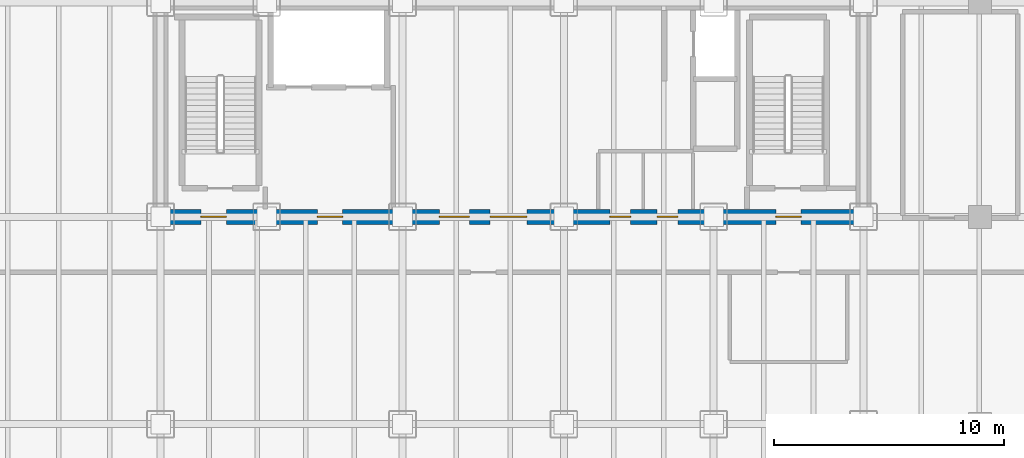
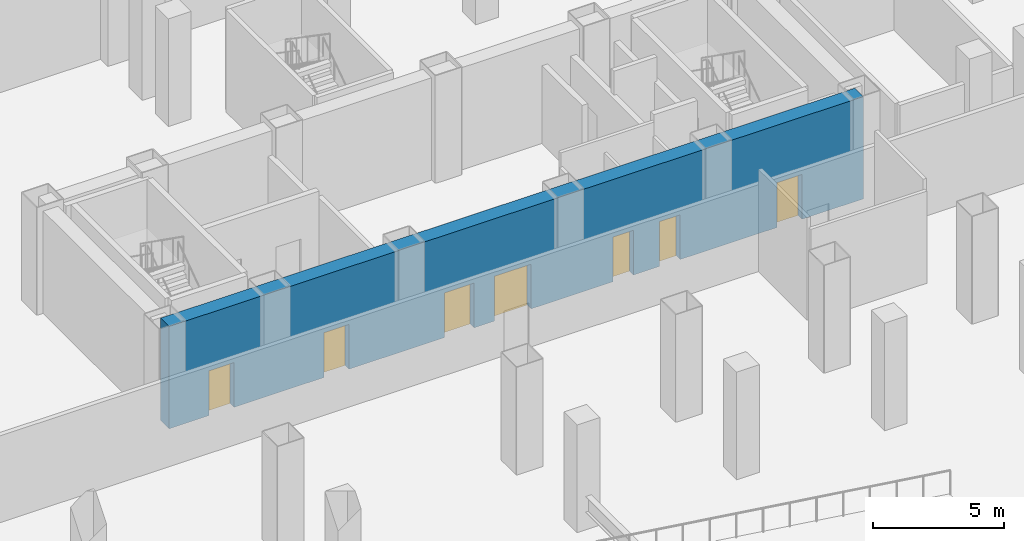
# One storey, part 8 of 18: 7 doors, 1 wall, 7 openings.
"""IFC4 building model written with IfcOpenShell, lengths in metres."""

from ifc_helpers import new_model, si_unit, direction, frame, frame_2d, origin, place, context, subcontext, project, spatial, rectangle, extrude, material, layer, layer_set, type_object, element, fill, save


model = new_model("IFC4")

# Units and contexts
model_context = context("Model", 3, precision=1e-05, world=origin(), true_north=direction((0.0, 1.0)))
body_context = subcontext(model_context, "Body", "Model", "MODEL_VIEW")
ifc_project = project(units=[si_unit("LENGTHUNIT", "METRE"), si_unit("AREAUNIT", "SQUARE_METRE"), si_unit("VOLUMEUNIT", "CUBIC_METRE"), si_unit("PLANEANGLEUNIT", "RADIAN"), si_unit("MASSUNIT", "GRAM", prefix="KILO")], contexts=[model_context])

# Site, building, storey
site_placement = place(None, origin())
site = spatial("IfcSite", under=ifc_project, at=site_placement, CompositionType="ELEMENT")
building_placement = place(site_placement, origin())
building = spatial("IfcBuilding", under=site, at=building_placement, Name="Noeulbin Bourse Tower", CompositionType="ELEMENT")
storey_placement = place(building_placement, frame((0.0, 0.0, -5.0)))
storey = spatial("IfcBuildingStorey", under=building, at=storey_placement, Name="B01", CompositionType="ELEMENT", Elevation=-5.0)

# Wall, openings, doors
ifc_material_1 = material(Name="Concrete C60/75", Category="concrete")
ifc_layer = layer(ifc_material_1, 0.64990234375)
ifc_layer_set = layer_set([ifc_layer], Name="Concrete C60/75")
wall_type = type_object("IfcWallType", Name="WAL-CORE-650", PredefinedType="SHEAR", material=ifc_layer_set)
wall_placement = place(storey_placement, frame((13.5, 29.0, 0.0), z_axis=(0.0, 0.0, 1.0), x_axis=(1.0, 0.0, 0.0)))
wall = element("IfcWall", 1, at=wall_placement, inside=storey, type_object=wall_type, Name="Rear Core South Shear Wall B01", PredefinedType="SHEAR", context=body_context, shape_type="SweptSolid", body=[
    extrude(rectangle(XDim=30.5, YDim=0.64990234375, at=frame_2d((15.25, 0.0))), origin(), (0.0, 0.0, 1.0), 4.75),
])
opening_1_placement = place(wall_placement, frame((1.75, 0.0, 0.0)))
opening_1 = element("IfcOpeningElement", 2, at=opening_1_placement, cuts=wall, Name="Opening FD-11", PredefinedType="OPENING", context=body_context, shape_type="SweptSolid", body=[
    extrude(rectangle(XDim=1.10009765625, YDim=2.080078125, at=frame_2d((0.550048828125, 1.0400390625))), frame((0.0, 0.3349609375, 0.0), z_axis=(0.0, -1.0, 0.0), x_axis=(1.0, 0.0, 0.0)), (0.0, 0.0, 1.0), 0.669921875),
])
opening_2_placement = place(wall_placement, frame((26.699951171875, 0.0, 0.0)))
opening_2 = element("IfcOpeningElement", 3, at=opening_2_placement, cuts=wall, Name="Opening FD-11", PredefinedType="OPENING", context=body_context, shape_type="SweptSolid", body=[
    extrude(rectangle(XDim=1.10009765625, YDim=2.080078125, at=frame_2d((0.550048828125, 1.0400390625))), frame((0.0, 0.3349609375, 0.0), z_axis=(0.0, -1.0, 0.0), x_axis=(1.0, 0.0, 0.0)), (0.0, 0.0, 1.0), 0.669921875),
])
opening_3_placement = place(wall_placement, frame((6.800048828125, 0.0, 0.0)))
opening_3 = element("IfcOpeningElement", 4, at=opening_3_placement, cuts=wall, Name="Opening FD-11", PredefinedType="OPENING", context=body_context, shape_type="SweptSolid", body=[
    extrude(rectangle(XDim=1.10009765625, YDim=2.080078125, at=frame_2d((0.550048828125, 1.0400390625))), frame((0.0, 0.3349609375, 0.0), z_axis=(0.0, -1.0, 0.0), x_axis=(1.0, 0.0, 0.0)), (0.0, 0.0, 1.0), 0.669921875),
])
opening_4_placement = place(wall_placement, frame((14.300048828125, 0.0, 0.0)))
opening_4 = element("IfcOpeningElement", 5, at=opening_4_placement, cuts=wall, Name="Opening ID-16", PredefinedType="OPENING", context=body_context, shape_type="SweptSolid", body=[
    extrude(rectangle(XDim=1.60009765625, YDim=2.080078125, at=frame_2d((0.800048828125, 1.0400390625))), frame((0.0, 0.3349609375, 0.0), z_axis=(0.0, -1.0, 0.0), x_axis=(1.0, 0.0, 0.0)), (0.0, 0.0, 1.0), 0.669921875),
])
opening_5_placement = place(wall_placement, frame((19.5, 0.0, 0.0)))
opening_5 = element("IfcOpeningElement", 6, at=opening_5_placement, cuts=wall, Name="Opening FD-09", PredefinedType="OPENING", context=body_context, shape_type="SweptSolid", body=[
    extrude(rectangle(XDim=0.89990234375, YDim=2.080078125, at=frame_2d((0.449951171875, 1.0400390625))), frame((0.0, 0.3349609375, 0.0), z_axis=(0.0, -1.0, 0.0), x_axis=(1.0, 0.0, 0.0)), (0.0, 0.0, 1.0), 0.669921875),
])
opening_6_placement = place(wall_placement, frame((21.550048828125, 0.0, 0.0)))
opening_6 = element("IfcOpeningElement", 7, at=opening_6_placement, cuts=wall, Name="Opening FD-09", PredefinedType="OPENING", context=body_context, shape_type="SweptSolid", body=[
    extrude(rectangle(XDim=0.89990234375, YDim=2.080078125, at=frame_2d((0.449951171875, 1.0400390625))), frame((0.0, 0.3349609375, 0.0), z_axis=(0.0, -1.0, 0.0), x_axis=(1.0, 0.0, 0.0)), (0.0, 0.0, 1.0), 0.669921875),
])
opening_7_placement = place(wall_placement, frame((12.10009765625, 0.0, 0.0)))
opening_7 = element("IfcOpeningElement", 8, at=opening_7_placement, cuts=wall, Name="Opening LD-13", PredefinedType="OPENING", context=body_context, shape_type="SweptSolid", body=[
    extrude(rectangle(XDim=1.300048828125, YDim=2.080078125, at=frame_2d((0.64990234375, 1.0400390625))), frame((0.0, 0.3349609375, 0.0), z_axis=(0.0, -1.0, 0.0), x_axis=(1.0, 0.0, 0.0)), (0.0, 0.0, 1.0), 0.669921875),
])
ifc_material_2 = material(Name="Acoustic Glazed Aluminium", Category="aluminium")
door_type_1 = type_object("IfcDoorType", Name="DR-DBL-1600", OperationType="DOUBLE_DOOR_SINGLE_SWING", PredefinedType="DOOR", material=ifc_material_2)
door_1_placement = place(opening_4_placement, origin())
door_1 = element("IfcDoor", 9, at=door_1_placement, inside=storey, type_object=door_type_1, Name="Passenger Lift Lobby Portal B01", OperationType="DOUBLE_DOOR_SINGLE_SWING", OverallHeight=2.080078125, OverallWidth=1.60009765625, PredefinedType="DOOR", context=body_context, shape_type="SweptSolid", body=[
    extrude(rectangle(XDim=1.60009765625, YDim=2.080078125, at=frame_2d((0.800048828125, 1.0400390625))), frame((0.0, 0.02490234375, 0.0), z_axis=(0.0, -1.0, 0.0), x_axis=(1.0, 0.0, 0.0)), (0.0, 0.0, 1.0), 0.050048828125),
])
fill(opening_4, door_1)
ifc_material_3 = material(Name="Fire-Rated Timber Core", Category="wood")
door_type_2 = type_object("IfcDoorType", Name="DR-FD30-900", OperationType="SINGLE_SWING_RIGHT", PredefinedType="DOOR", material=ifc_material_3)
door_2_placement = place(opening_5_placement, origin())
door_2 = element("IfcDoor", 10, at=door_2_placement, inside=storey, type_object=door_type_2, Name="Interior Door B01-11", OperationType="SINGLE_SWING_LEFT", OverallHeight=2.080078125, OverallWidth=0.89990234375, PredefinedType="DOOR", context=body_context, shape_type="SweptSolid", body=[
    extrude(rectangle(XDim=0.89990234375, YDim=2.080078125, at=frame_2d((0.449951171875, 1.0400390625))), frame((0.0, 0.02490234375, 0.0), z_axis=(0.0, -1.0, 0.0), x_axis=(1.0, 0.0, 0.0)), (0.0, 0.0, 1.0), 0.050048828125),
])
fill(opening_5, door_2)
door_3_placement = place(opening_6_placement, origin())
door_3 = element("IfcDoor", 11, at=door_3_placement, inside=storey, type_object=door_type_2, Name="Interior Door B01-12", OperationType="SINGLE_SWING_RIGHT", OverallHeight=2.080078125, OverallWidth=0.89990234375, PredefinedType="DOOR", context=body_context, shape_type="SweptSolid", body=[
    extrude(rectangle(XDim=0.89990234375, YDim=2.080078125, at=frame_2d((0.449951171875, 1.0400390625))), frame((0.0, 0.02490234375, 0.0), z_axis=(0.0, -1.0, 0.0), x_axis=(1.0, 0.0, 0.0)), (0.0, 0.0, 1.0), 0.050048828125),
])
fill(opening_6, door_3)
ifc_material_4 = material(Name="Fire-Rated Insulated Steel", Category="steel")
door_type_3 = type_object("IfcDoorType", Name="DR-FD60-1100", OperationType="SINGLE_SWING_LEFT", PredefinedType="DOOR", material=ifc_material_4)
door_4_placement = place(opening_1_placement, origin())
door_4 = element("IfcDoor", 12, at=door_4_placement, inside=storey, type_object=door_type_3, Name="West Stair Lobby Door B01", OperationType="SINGLE_SWING_LEFT", OverallHeight=2.080078125, OverallWidth=1.10009765625, PredefinedType="DOOR", context=body_context, shape_type="SweptSolid", body=[
    extrude(rectangle(XDim=1.10009765625, YDim=2.080078125, at=frame_2d((0.550048828125, 1.0400390625))), frame((0.0, 0.02490234375, 0.0), z_axis=(0.0, -1.0, 0.0), x_axis=(1.0, 0.0, 0.0)), (0.0, 0.0, 1.0), 0.050048828125),
])
fill(opening_1, door_4)
door_5_placement = place(opening_2_placement, origin())
door_5 = element("IfcDoor", 13, at=door_5_placement, inside=storey, type_object=door_type_3, Name="East Stair Lobby Door B01", OperationType="SINGLE_SWING_RIGHT", OverallHeight=2.080078125, OverallWidth=1.10009765625, PredefinedType="DOOR", context=body_context, shape_type="SweptSolid", body=[
    extrude(rectangle(XDim=1.10009765625, YDim=2.080078125, at=frame_2d((0.550048828125, 1.0400390625))), frame((0.0, 0.02490234375, 0.0), z_axis=(0.0, -1.0, 0.0), x_axis=(1.0, 0.0, 0.0)), (0.0, 0.0, 1.0), 0.050048828125),
])
fill(opening_2, door_5)
door_6_placement = place(opening_3_placement, origin())
door_6 = element("IfcDoor", 14, at=door_6_placement, inside=storey, type_object=door_type_3, Name="Firefighting Lobby Door B01", OperationType="SINGLE_SWING_LEFT", OverallHeight=2.080078125, OverallWidth=1.10009765625, PredefinedType="DOOR", context=body_context, shape_type="SweptSolid", body=[
    extrude(rectangle(XDim=1.10009765625, YDim=2.080078125, at=frame_2d((0.550048828125, 1.0400390625))), frame((0.0, 0.02490234375, 0.0), z_axis=(0.0, -1.0, 0.0), x_axis=(1.0, 0.0, 0.0)), (0.0, 0.0, 1.0), 0.050048828125),
])
fill(opening_3, door_6)
ifc_material_5 = material(Name="Brushed Stainless Steel 316", Category="steel")
door_type_4 = type_object("IfcDoorType", Name="DR-LIFT-1300", OperationType="DOUBLE_DOOR_SLIDING", PredefinedType="DOOR", material=ifc_material_5)
door_7_placement = place(opening_7_placement, origin())
door_7 = element("IfcDoor", 15, at=door_7_placement, inside=storey, type_object=door_type_4, Name="Lift Landing Door LD-PL-S1-B01", OperationType="DOUBLE_DOOR_SLIDING", OverallHeight=2.080078125, OverallWidth=1.300048828125, PredefinedType="DOOR", context=body_context, shape_type="SweptSolid", body=[
    extrude(rectangle(XDim=1.300048828125, YDim=2.080078125, at=frame_2d((0.64990234375, 1.0400390625))), frame((0.0, 0.02490234375, 0.0), z_axis=(0.0, -1.0, 0.0), x_axis=(1.0, 0.0, 0.0)), (0.0, 0.0, 1.0), 0.050048828125),
])
fill(opening_7, door_7)

save(model, "model.ifc")
